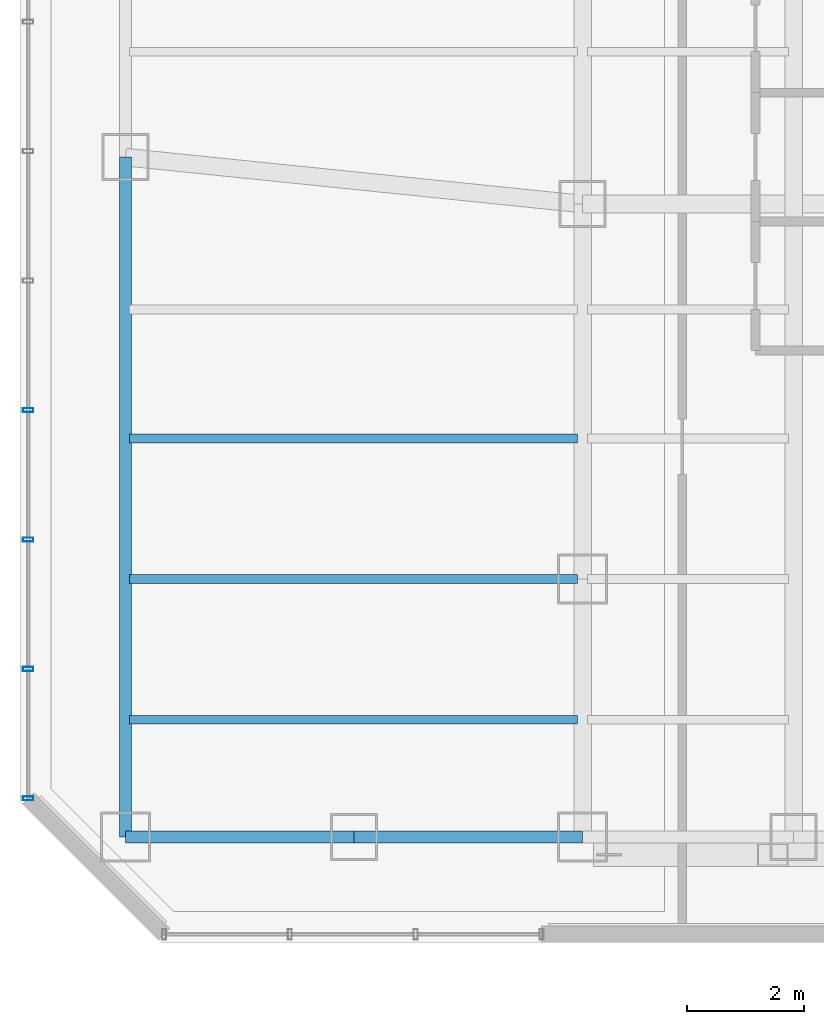
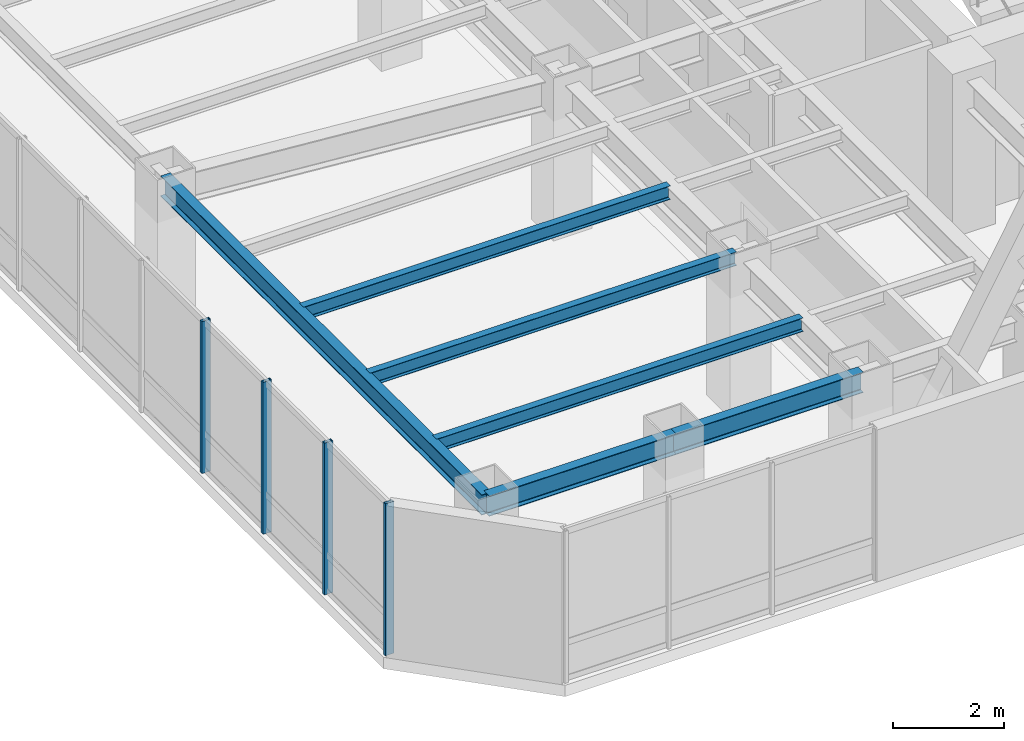
# One storey, part 4 of 26: 6 beams, 4 members, 1 element without a shape of its own.
"""IFC4 building model written with IfcOpenShell, lengths in metres."""

import ifcopenshell
import ifcopenshell.guid

model = None  # the IFC model being written
_history = None  # IfcOwnerHistory: only IFC2X3 demands one
_inside = {}  # id of a spatial element -> (the spatial element, [elements in it])
_under = {}  # id of a project, library or spatial element -> (it, [spatial elements below it])
_declared = {}  # id of a project -> (the project, [libraries it declares])
_typed = {}  # id of a type object -> (the type object, [elements of that type])
_made_of = {}  # id of a material, layer set ... -> (it, [elements and type objects made of it])


def new_model(schema):
    """Start an empty IFC model of exactly this schema.

    Asked for "IFC4X3", IfcOpenShell would pick the latest addendum, in which some entities
    have other attributes; the version numbers below select the first issue.
    IFC2X3 requires an IfcOwnerHistory on every rooted entity: one is made here for all.
    """
    global model, _history
    if schema == "IFC4X3":
        model = ifcopenshell.file(schema_version=(4, 3, 0, 0))
    else:
        model = ifcopenshell.file(schema=schema)
    _inside.clear()
    _under.clear()
    _declared.clear()
    _typed.clear()
    _made_of.clear()
    _history = None
    if model.schema == "IFC2X3":
        org = make("IfcOrganization", Name="unknown")
        user = make(
            "IfcPersonAndOrganization",
            ThePerson=make("IfcPerson", FamilyName="unknown"),
            TheOrganization=org,
        )
        app = make(
            "IfcApplication",
            ApplicationDeveloper=org,
            Version="unknown",
            ApplicationFullName="unknown",
            ApplicationIdentifier="unknown",
        )
        _history = make(
            "IfcOwnerHistory",
            OwningUser=user,
            OwningApplication=app,
            ChangeAction="ADDED",
            CreationDate=0,
        )
    return model


def make(cls, **values):
    """One entity of the class cls with the attributes given. An attribute that is None is left unset."""
    return model.create_entity(
        cls, **{name: value for name, value in values.items() if value is not None}
    )


def rooted(cls, **values):
    """An entity with a GlobalId (a new one), such as an element, a storey or a relation."""
    return make(cls, GlobalId=ifcopenshell.guid.new(), OwnerHistory=_history, **values)


def si_unit(unit_type, name, prefix=None):
    """IfcSIUnit, for example si_unit("LENGTHUNIT", "METRE", prefix="MILLI")."""
    return make("IfcSIUnit", UnitType=unit_type, Prefix=prefix, Name=name)


def assignment(units):
    """IfcUnitAssignment: the units of a project."""
    return None if units is None else make("IfcUnitAssignment", Units=units)


def point(xyz):
    """IfcCartesianPoint."""
    return None if xyz is None else make("IfcCartesianPoint", Coordinates=xyz)


def direction(xyz):
    """IfcDirection."""
    return None if xyz is None else make("IfcDirection", DirectionRatios=xyz)


def frame(location, z_axis=None, x_axis=None):
    """IfcAxis2Placement3D, a coordinate frame: its origin and axes. An axis left out is left unset."""
    return make(
        "IfcAxis2Placement3D",
        Location=point(location),
        Axis=direction(z_axis),
        RefDirection=direction(x_axis),
    )


def frame_2d(location, x_axis=None):
    """IfcAxis2Placement2D, a coordinate frame in the plane: its origin and x axis."""
    return make(
        "IfcAxis2Placement2D", Location=point(location), RefDirection=direction(x_axis)
    )


def origin():
    """The frame at (0, 0, 0) with its axes left unset."""
    return frame((0.0, 0.0, 0.0))


def origin_2d():
    """The frame at (0, 0) in the plane with its x axis left unset."""
    return frame_2d((0.0, 0.0))


def place(relative_to, where):
    """IfcLocalPlacement: puts the frame where relative to a parent placement (None: the world)."""
    return make(
        "IfcLocalPlacement", PlacementRelTo=relative_to, RelativePlacement=where
    )


def context(
    kind, dimensions, precision=None, world=None, true_north=None, identifier=None
):
    """IfcGeometricRepresentationContext, for example the 3D "Model" context."""
    return make(
        "IfcGeometricRepresentationContext",
        ContextIdentifier=identifier,
        ContextType=kind,
        CoordinateSpaceDimension=dimensions,
        Precision=precision,
        WorldCoordinateSystem=world,
        TrueNorth=true_north,
    )


def subcontext(parent, identifier, kind, view, scale=None):
    """IfcGeometricRepresentationSubContext, for example "Body" below "Model"."""
    return make(
        "IfcGeometricRepresentationSubContext",
        ContextIdentifier=identifier,
        ContextType=kind,
        ParentContext=parent,
        TargetScale=scale,
        TargetView=view,
    )


def project(units=None, contexts=None):
    """IfcProject with its units and contexts."""
    return rooted(
        "IfcProject",
        Name="project",
        RepresentationContexts=contexts,
        UnitsInContext=assignment(units),
    )


def spatial(cls, under=None, at=None, **own):
    """A site, building, storey or space (cls), placed at a placement, below another one or the project."""
    s = rooted(cls, ObjectPlacement=at, **own)
    if under is not None:
        _under.setdefault(under.id(), (under, []))[1].append(s)
    return s


def profile(cls, at=None, kind="AREA", **sizes):
    """A parametric profile (cls). Its sizes go by their IFC names, for example OverallWidth=200.0."""
    return make(cls, ProfileType=kind, Position=at, **sizes)


def hollow_rectangle(**sizes):
    """IfcRectangleHollowProfileDef."""
    return profile("IfcRectangleHollowProfileDef", **sizes)


def i_section(**sizes):
    """IfcIShapeProfileDef."""
    return profile("IfcIShapeProfileDef", **sizes)


def extrude(swept, where, along, depth):
    """IfcExtrudedAreaSolid: the profile swept, set in the frame where, extruded along a direction by depth."""
    return make(
        "IfcExtrudedAreaSolid",
        SweptArea=swept,
        Position=where,
        ExtrudedDirection=direction(along),
        Depth=depth,
    )


def shape(context_of_items, identifier, shape_type, items):
    """IfcShapeRepresentation: the items that make up one representation, for example the "Body"."""
    return make(
        "IfcShapeRepresentation",
        ContextOfItems=context_of_items,
        RepresentationIdentifier=identifier,
        RepresentationType=shape_type,
        Items=items,
    )


def material(Name=None, Category=None):
    """IfcMaterial."""
    return make("IfcMaterial", Name=Name, Category=Category)


def layer(
    of_material, thickness, ventilated=None, Name=None, Category=None, Priority=None
):
    """IfcMaterialLayer: one layer of a wall or slab, of a material (None: an air gap)."""
    return make(
        "IfcMaterialLayer",
        Material=of_material,
        LayerThickness=thickness,
        IsVentilated=ventilated,
        Name=Name,
        Category=Category,
        Priority=Priority,
    )


def layer_set(layers, Name=None):
    """IfcMaterialLayerSet."""
    return make("IfcMaterialLayerSet", MaterialLayers=layers, LayerSetName=Name)


def material_profile(
    of_material, cross_section, Name=None, Category=None, Priority=None
):
    """IfcMaterialProfile: a cross section and its material."""
    return make(
        "IfcMaterialProfile",
        Name=Name,
        Material=of_material,
        Profile=cross_section,
        Priority=Priority,
        Category=Category,
    )


def profile_set(profiles, Name=None, composite=None):
    """IfcMaterialProfileSet."""
    return make(
        "IfcMaterialProfileSet",
        Name=Name,
        MaterialProfiles=profiles,
        CompositeProfile=composite,
    )


def made_of(thing, what):
    """Note that an element or type object is made of a material, layer set ...; save() writes the relation."""
    if what is not None:
        _made_of.setdefault(what.id(), (what, []))[1].append(thing)
    return thing


def type_object(cls, material=None, **own):
    """A type object (cls), such as IfcWallType, which elements share."""
    return made_of(rooted(cls, **own), material)


def element(
    cls,
    number,
    at=None,
    inside=None,
    cuts=None,
    type_object=None,
    material=None,
    context=None,
    identifier="Body",
    shape_type=None,
    held_by="IfcProductDefinitionShape",
    body=None,
    shapes=None,
    **own,
):
    """One element of the class cls, such as IfcWall. Its Tag is "e" and its number.

    at: its placement. inside: the storey or other place that contains it. cuts: it is an
    opening in that element (IfcRelVoidsElement). A single representation is given by context,
    identifier, shape_type and body (its items); several are given by shapes. held_by: the class
    of the entity that holds the representations. save() writes the other relations.
    """
    e = rooted(cls, Tag="e%d" % number, ObjectPlacement=at, **own)
    if body is not None:
        shapes = [shape(context, identifier, shape_type, body)]
    if shapes is not None:
        e.Representation = make(held_by, Representations=shapes)
    if inside is not None:
        _inside.setdefault(inside.id(), (inside, []))[1].append(e)
    if cuts is not None:
        rooted(
            "IfcRelVoidsElement", RelatingBuildingElement=cuts, RelatedOpeningElement=e
        )
    if type_object is not None:
        _typed.setdefault(type_object.id(), (type_object, []))[1].append(e)
    return made_of(e, material)


def aggregate(whole, parts):
    """IfcRelAggregates: a whole, such as a stair, and the parts it consists of."""
    return rooted("IfcRelAggregates", RelatingObject=whole, RelatedObjects=parts)


def save(model, path):
    """Write the relations noted so far, then the file.

    IfcRelAggregates (storeys below a building ...), IfcRelContainedInSpatialStructure (elements
    in a storey), IfcRelDefinesByType, IfcRelAssociatesMaterial and IfcRelDeclares: one each for
    every whole, place, type object, material and project.
    """
    for whole, parts in _under.values():
        aggregate(whole, parts)
    for where, things in _inside.values():
        rooted(
            "IfcRelContainedInSpatialStructure",
            RelatedElements=things,
            RelatingStructure=where,
        )
    for kind, things in _typed.values():
        rooted("IfcRelDefinesByType", RelatedObjects=things, RelatingType=kind)
    for what, things in _made_of.values():
        rooted("IfcRelAssociatesMaterial", RelatedObjects=things, RelatingMaterial=what)
    for by, libraries in _declared.values():
        rooted("IfcRelDeclares", RelatingContext=by, RelatedDefinitions=libraries)
    model.write(path)


model = new_model("IFC4")

# Units and contexts
model_context = context("Model", 3, precision=1e-05, world=origin(), true_north=direction((0.0, 1.0)))
body_context = subcontext(model_context, "Body", "Model", "MODEL_VIEW")
ifc_project = project(units=[si_unit("LENGTHUNIT", "METRE"), si_unit("AREAUNIT", "SQUARE_METRE"), si_unit("VOLUMEUNIT", "CUBIC_METRE"), si_unit("PLANEANGLEUNIT", "RADIAN"), si_unit("MASSUNIT", "GRAM", prefix="KILO")], contexts=[model_context])

# Site, building, storey
site_placement = place(None, origin())
site = spatial("IfcSite", under=ifc_project, at=site_placement, CompositionType="ELEMENT")
building_placement = place(site_placement, origin())
building = spatial("IfcBuilding", under=site, at=building_placement, Name="Hatsunagi Terrace Concourse", CompositionType="ELEMENT")
storey_placement = place(building_placement, frame((0.0, 0.0, 134.85009765625)))
storey = spatial("IfcBuildingStorey", under=building, at=storey_placement, Name="L35", CompositionType="ELEMENT", Elevation=134.85009765625)

# Curtain wall, members
ifc_material_1 = material(Name="Anodised Aluminium Alloy 6063-T5", Category="aluminium")
ifc_layer = layer(ifc_material_1, 0.199951171875)
ifc_layer_set = layer_set([ifc_layer], Name="OfficeZone1_CW03")
curtain_wall_type = type_object("IfcCurtainWallType", Name="OfficeZone1_CW03", PredefinedType="NOTDEFINED", material=ifc_layer_set)
curtain_wall_placement = place(storey_placement, origin())
curtain_wall = element("IfcCurtainWall", 1, at=curtain_wall_placement, inside=storey, type_object=curtain_wall_type, Name="Unitised Curtain Wall CW-03 CW-L35-09", PredefinedType="NOTDEFINED")
ifc_material_2 = material(Name="Anodised Aluminium Alloy 6063-T5", Category="aluminium")
ifc_material_profile_1 = material_profile(ifc_material_2, hollow_rectangle(XDim=0.070068359375, YDim=0.179931640625, WallThickness=0.00390625, at=origin_2d()), Name="ALU-MUL-180x70x4")
ifc_profile_set_1 = profile_set([ifc_material_profile_1], Name="Anodised Aluminium Alloy 6063-T5")
member_type = type_object("IfcMemberType", Name="CurtainWallMullion_180x70", PredefinedType="MULLION", material=ifc_profile_set_1)
member_1_placement = place(storey_placement, frame((9.739990234375, 25.85791015625, 0.0), z_axis=(0.0, 0.0, 1.0), x_axis=(0.0, 1.0, 0.0)))
member_1 = element("IfcMember", 2, at=member_1_placement, type_object=member_type, Name="Curtain Wall Mullion MUL-02", PredefinedType="MULLION", context=body_context, shape_type="SweptSolid", body=[
    extrude(hollow_rectangle(XDim=0.070068359375, YDim=0.179931640625, WallThickness=0.00390625, at=origin_2d()), origin(), (0.0, 0.0, 1.0), 3.349853515625),
])
member_2_placement = place(storey_placement, frame((9.739990234375, 28.06591796875, 0.0), z_axis=(0.0, 0.0, 1.0), x_axis=(0.0, 1.0, 0.0)))
member_2 = element("IfcMember", 3, at=member_2_placement, type_object=member_type, Name="Curtain Wall Mullion MUL-02", PredefinedType="MULLION", context=body_context, shape_type="SweptSolid", body=[
    extrude(hollow_rectangle(XDim=0.070068359375, YDim=0.179931640625, WallThickness=0.00390625, at=origin_2d()), origin(), (0.0, 0.0, 1.0), 3.349853515625),
])
member_3_placement = place(storey_placement, frame((9.739990234375, 30.27490234375, 0.0), z_axis=(0.0, 0.0, 1.0), x_axis=(0.0, 1.0, 0.0)))
member_3 = element("IfcMember", 4, at=member_3_placement, type_object=member_type, Name="Curtain Wall Mullion MUL-02", PredefinedType="MULLION", context=body_context, shape_type="SweptSolid", body=[
    extrude(hollow_rectangle(XDim=0.070068359375, YDim=0.179931640625, WallThickness=0.00390625, at=origin_2d()), origin(), (0.0, 0.0, 1.0), 3.349853515625),
])
member_4_placement = place(storey_placement, frame((9.739990234375, 32.48291015625, 0.0), z_axis=(0.0, 0.0, 1.0), x_axis=(0.0, 1.0, 0.0)))
member_4 = element("IfcMember", 5, at=member_4_placement, type_object=member_type, Name="Curtain Wall Mullion MUL-02", PredefinedType="MULLION", context=body_context, shape_type="SweptSolid", body=[
    extrude(hollow_rectangle(XDim=0.070068359375, YDim=0.179931640625, WallThickness=0.00390625, at=origin_2d()), origin(), (0.0, 0.0, 1.0), 3.349853515625),
])
aggregate(curtain_wall, [member_1, member_2, member_3, member_4])

# Beams
ifc_material_3 = material(Name="Steel SN490B", Category="steel")
ifc_material_profile_2 = material_profile(ifc_material_3, i_section(OverallWidth=0.14990234375, OverallDepth=0.300048828125, WebThickness=0.006591796875, FlangeThickness=0.009033203125, FilletRadius=0.010986328125, at=origin_2d()), Name="H-300x150x6.5x9")
ifc_profile_set_2 = profile_set([ifc_material_profile_2], Name="Steel SN490B")
beam_type_1 = type_object("IfcBeamType", Name="OfficeJoist_H_300x150", PredefinedType="JOIST", material=ifc_profile_set_2)
for number, where, z_axis, x_axis, name in (
    (6, (11.465087890625, 27.199951171875, 3.199951171875), (1.0, 0.0, 0.0), (0.0, 1.0, 0.0), "Beam J-03 J-L35-W-11-272"),
    (7, (11.465087890625, 29.60009765625, 3.199951171875), (1.0, 0.0, 0.0), (0.0, 1.0, 0.0), "Beam J-03 J-L35-W-11-296"),
    (8, (11.465087890625, 32.0, 3.199951171875), (1.0, 0.0, 0.0), (0.0, 1.0, 0.0), "Beam J-03 J-L35-W-11-320"),
):
    element("IfcBeam", number, at=place(storey_placement, frame(where, z_axis=z_axis, x_axis=x_axis)), inside=storey, type_object=beam_type_1, Name=name, PredefinedType="JOIST", context=body_context, shape_type="SweptSolid", body=[
        extrude(i_section(OverallWidth=0.14990234375, OverallDepth=0.300048828125, WebThickness=0.006591796875, FlangeThickness=0.009033203125, FilletRadius=0.010986328125, at=origin_2d()), origin(), (0.0, 0.0, 1.0), 7.64990234375),
    ])
ifc_material_4 = material(Name="Steel SN490B", Category="steel")
ifc_material_profile_3 = material_profile(ifc_material_4, i_section(OverallWidth=0.199951171875, OverallDepth=0.449951171875, WebThickness=0.009033203125, FlangeThickness=0.013916015625, FilletRadius=0.01611328125, at=origin_2d()), Name="H-450x200x9x14")
ifc_profile_set_3 = profile_set([ifc_material_profile_3], Name="Steel SN490B")
beam_type_2 = type_object("IfcBeamType", Name="PerimeterSpandrel_H_450x200", PredefinedType="SPANDREL", material=ifc_profile_set_3)
beam_1_placement = place(storey_placement, frame((11.39990234375, 25.199951171875, 3.125), z_axis=(1.0, 0.0, 0.0), x_axis=(0.0, 1.0, 0.0)))
element("IfcBeam", 9, at=beam_1_placement, inside=storey, type_object=beam_type_2, Name="Beam SP-02 BM-L35-WS-11", PredefinedType="SPANDREL", context=body_context, shape_type="SweptSolid", body=[
    extrude(i_section(OverallWidth=0.199951171875, OverallDepth=0.449951171875, WebThickness=0.009033203125, FlangeThickness=0.013916015625, FilletRadius=0.01611328125, at=origin_2d()), origin(), (0.0, 0.0, 1.0), 3.900146484375),
])
beam_2_placement = place(storey_placement, frame((15.300048828125, 25.199951171875, 3.125), z_axis=(1.0, 0.0, 0.0), x_axis=(0.0, 1.0, 0.0)))
element("IfcBeam", 10, at=beam_2_placement, inside=storey, type_object=beam_type_2, Name="Beam SP-02 BM-L35-WS-15", PredefinedType="SPANDREL", context=body_context, shape_type="SweptSolid", body=[
    extrude(i_section(OverallWidth=0.199951171875, OverallDepth=0.449951171875, WebThickness=0.009033203125, FlangeThickness=0.013916015625, FilletRadius=0.01611328125, at=origin_2d()), origin(), (0.0, 0.0, 1.0), 3.89990234375),
])
beam_3_placement = place(storey_placement, frame((11.39990234375, 25.199951171875, 3.125), z_axis=(0.0, 1.0, 0.0), x_axis=(-1.0, 0.0, 0.0)))
element("IfcBeam", 11, at=beam_3_placement, inside=storey, type_object=beam_type_2, Name="Beam SP-02 BM-L35-NS-11-25", PredefinedType="SPANDREL", context=body_context, shape_type="SweptSolid", body=[
    extrude(i_section(OverallWidth=0.199951171875, OverallDepth=0.449951171875, WebThickness=0.009033203125, FlangeThickness=0.013916015625, FilletRadius=0.01611328125, at=origin_2d()), origin(), (0.0, 0.0, 1.0), 11.60009765625),
])

save(model, "model.ifc")
